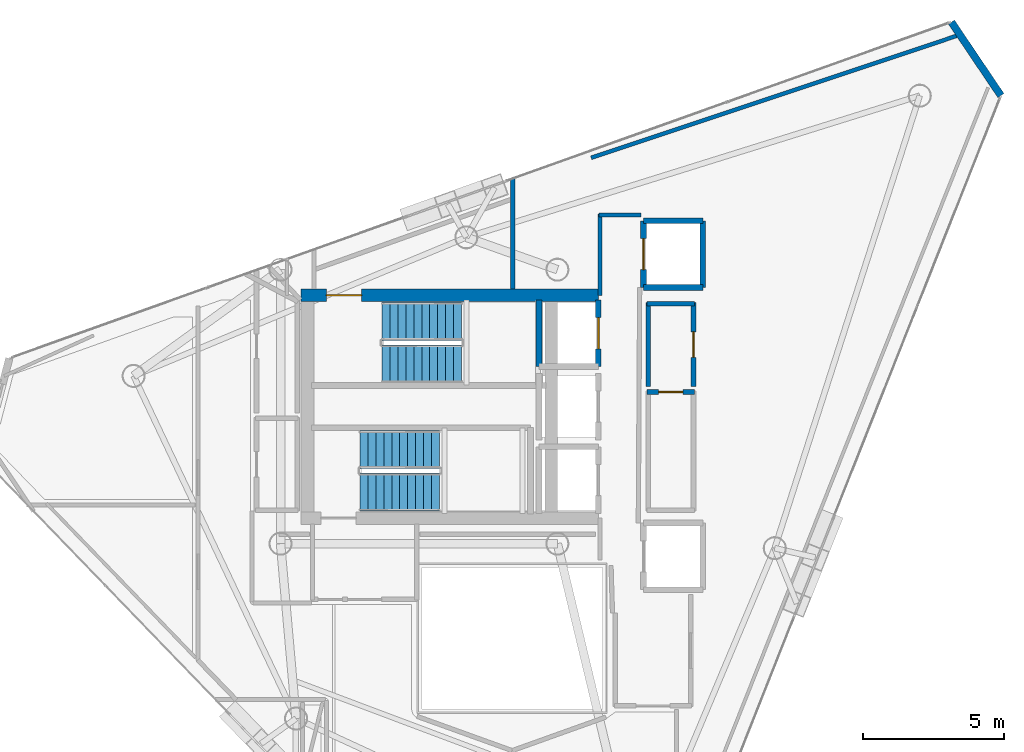
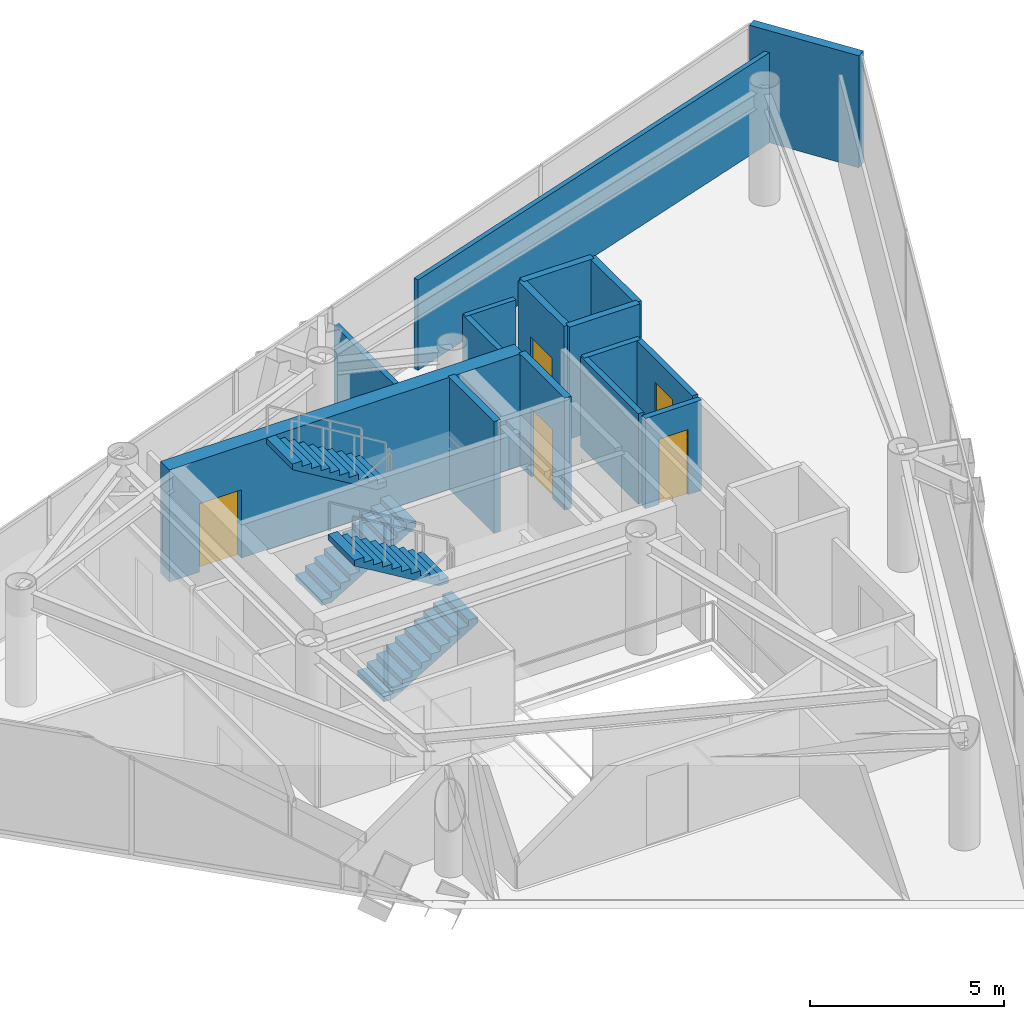
# One storey, part 17 of 18: 16 walls, 5 doors, 4 stair flights, 5 openings, 2 elements without a shape of their own.
"""IFC4 building model written with IfcOpenShell, lengths in metres."""

from ifc_helpers import new_model, si_unit, direction, frame, frame_2d, origin, place, context, subcontext, project, spatial, polyline, rectangle, outline, extrude, material, layer, layer_set, type_object, element, fill, aggregate, save


model = new_model("IFC4")

# Units and contexts
model_context = context("Model", 3, precision=1e-05, world=origin(), true_north=direction((0.0, 1.0)))
body_context = subcontext(model_context, "Body", "Model", "MODEL_VIEW")
ifc_project = project(units=[si_unit("LENGTHUNIT", "METRE"), si_unit("AREAUNIT", "SQUARE_METRE"), si_unit("VOLUMEUNIT", "CUBIC_METRE"), si_unit("PLANEANGLEUNIT", "RADIAN"), si_unit("MASSUNIT", "GRAM", prefix="KILO")], contexts=[model_context])

# Site, building, storey
site_placement = place(None, origin())
site = spatial("IfcSite", under=ifc_project, at=site_placement, CompositionType="ELEMENT")
building_placement = place(site_placement, origin())
building = spatial("IfcBuilding", under=site, at=building_placement, Name="Qianvela Tower", CompositionType="ELEMENT")
storey_placement = place(building_placement, frame((0.0, 0.0, 337.0)))
storey = spatial("IfcBuildingStorey", under=building, at=storey_placement, Name="L87", CompositionType="ELEMENT", Elevation=337.0)

# Wall
ifc_material_1 = material(Name="Terracotta Cladding on Concrete C40", Category="masonry")
ifc_layer_1 = layer(ifc_material_1, 0.260009765625)
ifc_layer_set_1 = layer_set([ifc_layer_1], Name="Terracotta Cladding on Concrete C40")
wall_type_1 = type_object("IfcWallType", Name="TERRACOTTA-WALL-260", PredefinedType="SOLIDWALL", material=ifc_layer_set_1)
wall_1_placement = place(storey_placement, frame((54.101806640625, 39.711181640625, 0.0), z_axis=(0.0, 0.0, 1.0), x_axis=(-0.558838350317, 0.8292766114, 0.0)))
element("IfcWall", 1, at=wall_1_placement, inside=storey, type_object=wall_type_1, Name="L87 Terracotta Chamfer Facet Wall 1", PredefinedType="SOLIDWALL", context=body_context, shape_type="SweptSolid", body=[
    extrude(rectangle(XDim=3.139892578125, YDim=0.260009765625, at=frame_2d((1.56982421875, 0.0))), origin(), (0.0, 0.0, 1.0), 3.52001953125),
])

# Wall, opening, door
ifc_material_2 = material(Name="Concrete C50", Category="concrete")
ifc_layer_2 = layer(ifc_material_2, 0.449951171875)
ifc_layer_set_2 = layer_set([ifc_layer_2], Name="Concrete C50")
wall_type_2 = type_object("IfcWallType", Name="WT-CORE-450", PredefinedType="SHEAR", material=ifc_layer_set_2)
wall_2_placement = place(storey_placement, frame((29.330078125, 32.64501953125, 0.0), z_axis=(0.0, 0.0, 1.0), x_axis=(1.0, 0.0, 0.0)))
wall_2 = element("IfcWall", 2, at=wall_2_placement, inside=storey, type_object=wall_type_2, Name="L87 North Core Shear Wall", PredefinedType="SHEAR", context=body_context, shape_type="SweptSolid", body=[
    extrude(rectangle(XDim=10.52001953125, YDim=0.449951171875, at=frame_2d((5.260009765625, 0.0))), origin(), (0.0, 0.0, 1.0), 3.52001953125),
])
opening_1_placement = place(wall_2_placement, frame((0.89501953125, 0.0, 0.0)))
opening_1 = element("IfcOpeningElement", 3, at=opening_1_placement, cuts=wall_2, Name="Opening D-ST1", PredefinedType="OPENING", context=body_context, shape_type="SweptSolid", body=[
    extrude(rectangle(XDim=1.25, YDim=2.14990234375, at=frame_2d((0.625, 1.074951171875))), frame((0.0, 0.23486328125, 0.0), z_axis=(0.0, -1.0, 0.0), x_axis=(1.0, 0.0, 0.0)), (0.0, 0.0, 1.0), 0.469970703125),
])
ifc_material_3 = material(Name="Galvanised Fire Steel Q355B", Category="steel")
door_type_1 = type_object("IfcDoorType", Name="DT-STAIR-FD90", OperationType="NOTDEFINED", PredefinedType="DOOR", material=ifc_material_3)
door_1_placement = place(opening_1_placement, origin())
door_1 = element("IfcDoor", 4, at=door_1_placement, inside=storey, type_object=door_type_1, Name="L87 Stair ST-1 Exit Door", OperationType="SINGLE_SWING_RIGHT", OverallHeight=2.14990234375, OverallWidth=1.25, PredefinedType="DOOR", context=body_context, shape_type="SweptSolid", body=[
    extrude(rectangle(XDim=1.25, YDim=2.14990234375, at=frame_2d((0.625, 1.074951171875))), frame((0.0, 0.02490234375, 0.0), z_axis=(0.0, -1.0, 0.0), x_axis=(1.0, 0.0, 0.0)), (0.0, 0.0, 1.0), 0.050048828125),
])
fill(opening_1, door_1)

# Walls
ifc_material_4 = material(Name="Fire-Rated Acoustic Gypsum Board")
ifc_layer_3 = layer(ifc_material_4, 0.14990234375)
ifc_layer_set_3 = layer_set([ifc_layer_3], Name="Fire-Rated Acoustic Gypsum Board")
wall_type_3 = type_object("IfcWallType", Name="WT-CORR-150", PredefinedType="PARTITIONING", material=ifc_layer_set_3)
wall_3_placement = place(storey_placement, frame((36.819091796875, 36.791259765625, 0.0), z_axis=(0.0, 0.0, 1.0), x_axis=(0.0, -1.0, 0.0)))
element("IfcWall", 5, at=wall_3_placement, inside=storey, type_object=wall_type_3, Name="L87 Partition 2", PredefinedType="PARTITIONING", context=body_context, shape_type="SweptSolid", body=[
    extrude(rectangle(XDim=3.933349609375, YDim=0.14990234375, at=frame_2d((1.966796875, 0.0))), origin(), (0.0, 0.0, 1.0), 2.840087890625),
])
wall_4_placement = place(storey_placement, frame((39.910888671875, 32.639892578125, 0.0), z_axis=(0.0, 0.0, 1.0), x_axis=(0.0, 1.0, 0.0)))
element("IfcWall", 6, at=wall_4_placement, inside=storey, type_object=wall_type_3, Name="L87 Partition 12", PredefinedType="PARTITIONING", context=body_context, shape_type="SweptSolid", body=[
    extrude(rectangle(XDim=2.880126953125, YDim=0.14990234375, at=frame_2d((1.43994140625, 0.0))), origin(), (0.0, 0.0, 1.0), 2.840087890625),
])
wall_5_placement = place(storey_placement, frame((39.8798828125, 35.489013671875, 0.0), z_axis=(0.0, 0.0, 1.0), x_axis=(1.0, 0.0, 0.0)))
element("IfcWall", 7, at=wall_5_placement, inside=storey, type_object=wall_type_3, Name="L87 Partition 13", PredefinedType="PARTITIONING", context=body_context, shape_type="SweptSolid", body=[
    extrude(rectangle(XDim=1.480224609375, YDim=0.14990234375, at=frame_2d((0.740234375, 0.0))), origin(), (0.0, 0.0, 1.0), 2.840087890625),
])

# Wall, opening, door
ifc_material_5 = material(Name="Sanitary Service Chase Partition")
ifc_layer_4 = layer(ifc_material_5, 0.1650390625)
ifc_layer_set_4 = layer_set([ifc_layer_4], Name="Sanitary Service Chase Partition")
wall_type_4 = type_object("IfcWallType", Name="WT-PLUMB-165", PredefinedType="PLUMBINGWALL", material=ifc_layer_set_4)
wall_6_placement = place(storey_placement, frame((41.580078125, 29.218994140625, 0.0), z_axis=(0.0, 0.0, 1.0), x_axis=(1.0, 0.0, 0.0)))
wall_6 = element("IfcWall", 8, at=wall_6_placement, inside=storey, type_object=wall_type_4, Name="L87 Partition 21", PredefinedType="PLUMBINGWALL", context=body_context, shape_type="SweptSolid", body=[
    extrude(rectangle(XDim=1.669921875, YDim=0.1650390625, at=frame_2d((0.8349609375, 0.0))), origin(), (0.0, 0.0, 1.0), 2.840087890625),
])
opening_2_placement = place(wall_6_placement, frame((0.405029296875, 0.0, 0.0)))
opening_2 = element("IfcOpeningElement", 9, at=opening_2_placement, cuts=wall_6, Name="Opening D-WC1", PredefinedType="OPENING", context=body_context, shape_type="SweptSolid", body=[
    extrude(rectangle(XDim=0.860107421875, YDim=2.050048828125, at=frame_2d((0.43017578125, 1.02490234375))), frame((0.0, 0.092529296875, 0.0), z_axis=(0.0, -1.0, 0.0), x_axis=(1.0, 0.0, 0.0)), (0.0, 0.0, 1.0), 0.18505859375),
])
ifc_material_6 = material(Name="Moisture-Sealed Acoustic Timber Door", Category="wood")
door_type_2 = type_object("IfcDoorType", Name="DT-WC-860", OperationType="NOTDEFINED", PredefinedType="DOOR", material=ifc_material_6)
door_2_placement = place(opening_2_placement, origin())
door_2 = element("IfcDoor", 10, at=door_2_placement, inside=storey, type_object=door_type_2, Name="L87 Door L87 Accessible WC to L87 Shared Tea Pantry East", OperationType="SINGLE_SWING_LEFT", OverallHeight=2.050048828125, OverallWidth=0.860107421875, PredefinedType="DOOR", context=body_context, shape_type="SweptSolid", body=[
    extrude(rectangle(XDim=0.860107421875, YDim=2.050048828125, at=frame_2d((0.43017578125, 1.02490234375))), frame((0.0, 0.02490234375, 0.0), z_axis=(0.0, -1.0, 0.0), x_axis=(1.0, 0.0, 0.0)), (0.0, 0.0, 1.0), 0.050048828125),
])
fill(opening_2, door_2)

# Walls
wall_7_placement = place(storey_placement, frame((41.611083984375, 29.409912109375, 0.0), z_axis=(0.0, 0.0, 1.0), x_axis=(0.0, 1.0, 0.0)))
element("IfcWall", 11, at=wall_7_placement, inside=storey, type_object=wall_type_4, Name="L87 Partition 24", PredefinedType="PLUMBINGWALL", context=body_context, shape_type="SweptSolid", body=[
    extrude(rectangle(XDim=2.969970703125, YDim=0.1650390625, at=frame_2d((1.48486328125, 0.0))), origin(), (0.0, 0.0, 1.0), 2.840087890625),
])
wall_8_placement = place(storey_placement, frame((41.580078125, 32.34912109375, 0.0), z_axis=(0.0, 0.0, 1.0), x_axis=(1.0, 0.0, 0.0)))
element("IfcWall", 12, at=wall_8_placement, inside=storey, type_object=wall_type_4, Name="L87 Partition 25", PredefinedType="PLUMBINGWALL", context=body_context, shape_type="SweptSolid", body=[
    extrude(rectangle(XDim=1.669921875, YDim=0.1650390625, at=frame_2d((0.8349609375, 0.0))), origin(), (0.0, 0.0, 1.0), 2.840087890625),
])

# Wall, opening, door
wall_9_placement = place(storey_placement, frame((43.218994140625, 32.3798828125, 0.0), z_axis=(0.0, 0.0, 1.0), x_axis=(0.0, -1.0, 0.0)))
wall_9 = element("IfcWall", 13, at=wall_9_placement, inside=storey, type_object=wall_type_4, Name="L87 Partition 26", PredefinedType="PLUMBINGWALL", context=body_context, shape_type="SweptSolid", body=[
    extrude(rectangle(XDim=2.969970703125, YDim=0.1650390625, at=frame_2d((1.48486328125, 0.0))), origin(), (0.0, 0.0, 1.0), 2.840087890625),
])
opening_3_placement = place(wall_9_placement, frame((1.034912109375, 0.0, 0.0)))
opening_3 = element("IfcOpeningElement", 14, at=opening_3_placement, cuts=wall_9, Name="Opening D-KT1", PredefinedType="OPENING", context=body_context, shape_type="SweptSolid", body=[
    extrude(rectangle(XDim=0.89990234375, YDim=2.10009765625, at=frame_2d((0.449951171875, 1.050048828125))), frame((0.0, 0.092529296875, 0.0), z_axis=(0.0, -1.0, 0.0), x_axis=(1.0, 0.0, 0.0)), (0.0, 0.0, 1.0), 0.18505859375),
])
ifc_material_7 = material(Name="Glazed Timber Kitchen Door", Category="wood")
door_type_3 = type_object("IfcDoorType", Name="DT-KITCH-900", OperationType="NOTDEFINED", PredefinedType="DOOR", material=ifc_material_7)
door_3_placement = place(opening_3_placement, origin())
door_3 = element("IfcDoor", 15, at=door_3_placement, inside=storey, type_object=door_type_3, Name="L87 Door L87 Shared Tea Pantry East to Student Fitness Gym L87-03", OperationType="SINGLE_SWING_RIGHT", OverallHeight=2.10009765625, OverallWidth=0.89990234375, PredefinedType="DOOR", context=body_context, shape_type="SweptSolid", body=[
    extrude(rectangle(XDim=0.89990234375, YDim=2.10009765625, at=frame_2d((0.449951171875, 1.050048828125))), frame((0.0, 0.02490234375, 0.0), z_axis=(0.0, -1.0, 0.0), x_axis=(1.0, 0.0, 0.0)), (0.0, 0.0, 1.0), 0.050048828125),
])
fill(opening_3, door_3)

# Wall
ifc_material_8 = material(Name="Acoustic Double Gypsum Stud Partition")
ifc_layer_5 = layer(ifc_material_8, 0.139892578125)
ifc_layer_set_5 = layer_set([ifc_layer_5], Name="Acoustic Double Gypsum Stud Partition")
wall_type_5 = type_object("IfcWallType", Name="WT-ROOM-140", PredefinedType="PARTITIONING", material=ifc_layer_set_5)
wall_10_placement = place(storey_placement, frame((39.599609375, 37.509033203125, 0.0), z_axis=(0.0, 0.0, 1.0), x_axis=(0.948557417255, 0.316605158155, 0.0)))
element("IfcWall", 16, at=wall_10_placement, inside=storey, type_object=wall_type_5, Name="L87 Partition 80 seg 2", PredefinedType="PARTITIONING", context=body_context, shape_type="SweptSolid", body=[
    extrude(rectangle(XDim=13.7783203125, YDim=0.139892578125, at=frame_2d((6.88916015625, 0.0))), origin(), (0.0, 0.0, 1.0), 2.840087890625),
])

# Wall, opening, door
ifc_material_9 = material(Name="Concrete C50", Category="concrete")
ifc_layer_6 = layer(ifc_material_9, 0.199951171875)
ifc_layer_set_6 = layer_set([ifc_layer_6], Name="Concrete C50")
wall_type_6 = type_object("IfcWallType", Name="WT-SHAFT-200", PredefinedType="SOLIDWALL", material=ifc_layer_set_6)
wall_11_placement = place(storey_placement, frame((39.85009765625, 30.1201171875, 0.0), z_axis=(0.0, 0.0, 1.0), x_axis=(0.0, 1.0, 0.0)))
wall_11 = element("IfcWall", 17, at=wall_11_placement, inside=storey, type_object=wall_type_6, Name="L87 Lift FL-1 E Shaft Wall", PredefinedType="SOLIDWALL", context=body_context, shape_type="SweptSolid", body=[
    extrude(rectangle(XDim=2.35986328125, YDim=0.199951171875, at=frame_2d((1.179931640625, 0.0))), origin(), (0.0, 0.0, 1.0), 3.52001953125),
])
opening_4_placement = place(wall_11_placement, frame((0.6298828125, 0.0, 0.0)))
opening_4 = element("IfcOpeningElement", 18, at=opening_4_placement, cuts=wall_11, Name="Opening LD-01", PredefinedType="OPENING", context=body_context, shape_type="SweptSolid", body=[
    extrude(rectangle(XDim=1.10009765625, YDim=2.14990234375, at=frame_2d((0.550048828125, 1.074951171875))), frame((0.0, 0.10986328125, 0.0), z_axis=(0.0, -1.0, 0.0), x_axis=(1.0, 0.0, 0.0)), (0.0, 0.0, 1.0), 0.219970703125),
])
ifc_material_10 = material(Name="Brushed Stainless Steel Lift Landing Door", Category="steel")
door_type_4 = type_object("IfcDoorType", Name="DT-LIFT-SLIDE-1100", OperationType="SLIDING_TO_LEFT", PredefinedType="DOOR", material=ifc_material_10)
door_4_placement = place(opening_4_placement, origin())
door_4 = element("IfcDoor", 19, at=door_4_placement, inside=storey, type_object=door_type_4, Name="L87 Lift FL-1 Sliding Landing Door", OperationType="SLIDING_TO_LEFT", OverallHeight=2.14990234375, OverallWidth=1.10009765625, PredefinedType="DOOR", context=body_context, shape_type="SweptSolid", body=[
    extrude(rectangle(XDim=1.10009765625, YDim=2.14990234375, at=frame_2d((0.550048828125, 1.074951171875))), frame((0.0, 0.02490234375, 0.0), z_axis=(0.0, -1.0, 0.0), x_axis=(1.0, 0.0, 0.0)), (0.0, 0.0, 1.0), 0.050048828125),
])
fill(opening_4, door_4)

# Walls
wall_12_placement = place(storey_placement, frame((37.75, 30.1201171875, 0.0), z_axis=(0.0, 0.0, 1.0), x_axis=(0.0, 1.0, 0.0)))
element("IfcWall", 20, at=wall_12_placement, inside=storey, type_object=wall_type_6, Name="L87 Lift FL-1 W Shaft Wall", PredefinedType="SOLIDWALL", context=body_context, shape_type="SweptSolid", body=[
    extrude(rectangle(XDim=2.35986328125, YDim=0.199951171875, at=frame_2d((1.179931640625, 0.0))), origin(), (0.0, 0.0, 1.0), 3.52001953125),
])
wall_13_placement = place(storey_placement, frame((43.550048828125, 32.919921875, 0.0), z_axis=(0.0, 0.0, 1.0), x_axis=(0.0, 1.0, 0.0)))
element("IfcWall", 21, at=wall_13_placement, inside=storey, type_object=wall_type_6, Name="L87 Lift PL-H3 E Shaft Wall", PredefinedType="SOLIDWALL", context=body_context, shape_type="SweptSolid", body=[
    extrude(rectangle(XDim=2.360107421875, YDim=0.199951171875, at=frame_2d((1.18017578125, 0.0))), origin(), (0.0, 0.0, 1.0), 3.52001953125),
])

# Wall, opening, door
wall_14_placement = place(storey_placement, frame((41.449951171875, 32.919921875, 0.0), z_axis=(0.0, 0.0, 1.0), x_axis=(0.0, 1.0, 0.0)))
wall_14 = element("IfcWall", 22, at=wall_14_placement, inside=storey, type_object=wall_type_6, Name="L87 Lift PL-H3 W Shaft Wall", PredefinedType="SOLIDWALL", context=body_context, shape_type="SweptSolid", body=[
    extrude(rectangle(XDim=2.360107421875, YDim=0.199951171875, at=frame_2d((1.18017578125, 0.0))), origin(), (0.0, 0.0, 1.0), 3.52001953125),
])
opening_5_placement = place(wall_14_placement, frame((0.6298828125, 0.0, 0.0)))
opening_5 = element("IfcOpeningElement", 23, at=opening_5_placement, cuts=wall_14, Name="Opening LD-01", PredefinedType="OPENING", context=body_context, shape_type="SweptSolid", body=[
    extrude(rectangle(XDim=1.10009765625, YDim=2.14990234375, at=frame_2d((0.550048828125, 1.074951171875))), frame((0.0, 0.10986328125, 0.0), z_axis=(0.0, -1.0, 0.0), x_axis=(1.0, 0.0, 0.0)), (0.0, 0.0, 1.0), 0.219970703125),
])
door_5_placement = place(opening_5_placement, origin())
door_5 = element("IfcDoor", 24, at=door_5_placement, inside=storey, type_object=door_type_4, Name="L87 Lift PL-H3 Sliding Landing Door", OperationType="SLIDING_TO_LEFT", OverallHeight=2.14990234375, OverallWidth=1.10009765625, PredefinedType="DOOR", context=body_context, shape_type="SweptSolid", body=[
    extrude(rectangle(XDim=1.10009765625, YDim=2.14990234375, at=frame_2d((0.550048828125, 1.074951171875))), frame((0.0, 0.02490234375, 0.0), z_axis=(0.0, -1.0, 0.0), x_axis=(1.0, 0.0, 0.0)), (0.0, 0.0, 1.0), 0.050048828125),
])
fill(opening_5, door_5)

# Walls
for number, where, z_axis, x_axis, name in (
    (25, (41.449951171875, 35.280029296875, 0.0), (0.0, 0.0, 1.0), (1.0, 0.0, 0.0), "L87 Lift PL-H3 N Shaft Wall"),
    (26, (41.449951171875, 32.919921875, 0.0), (0.0, 0.0, 1.0), (1.0, 0.0, 0.0), "L87 Lift PL-H3 S Shaft Wall"),
):
    element("IfcWall", number, at=place(storey_placement, frame(where, z_axis=z_axis, x_axis=x_axis)), inside=storey, type_object=wall_type_6, Name=name, PredefinedType="SOLIDWALL", context=body_context, shape_type="SweptSolid", body=[
        extrude(rectangle(XDim=2.10009765625, YDim=0.199951171875, at=frame_2d((1.050048828125, 0.0))), origin(), (0.0, 0.0, 1.0), 3.52001953125),
    ])

# Stair, stair flights
ifc_material_11 = material(Name="Concrete C40", Category="concrete")
stair_type = type_object("IfcStairType", Name="ST-DOGLEG-1350-R168-N22", PredefinedType="HALF_TURN_STAIR", material=ifc_material_11)
stair_1_placement = place(storey_placement, origin())
stair_1 = element("IfcStair", 27, at=stair_1_placement, inside=storey, type_object=stair_type, Name="L87 Smoke-Proof Core Stair ST-1", PredefinedType="HALF_TURN_STAIR")
ifc_material_12 = material(Name="Concrete C40", Category="concrete")
stair_flight_type = type_object("IfcStairFlightType", Name="STF-STRAIGHT-R168-P11", PredefinedType="STRAIGHT", material=ifc_material_12)
stair_flight_1_placement = place(storey_placement, frame((32.199951171875, 30.215087890625, 0.0), z_axis=(0.0, 0.0, 1.0), x_axis=(1.0, 0.0, 0.0)))
stair_flight_1 = element("IfcStairFlight", 28, at=stair_flight_1_placement, type_object=stair_flight_type, Name="ST-1 flight 1", NumberOfRisers=11, NumberOfTreads=10, PredefinedType="STRAIGHT", RiserHeight=0.168181818, TreadLength=0.28, context=body_context, shape_type="SweptSolid", body=[
    extrude(outline(polyline([(0.0, 0.0), (0.0, 0.168212890625), (0.280029296875, 0.168212890625), (0.280029296875, 0.33642578125), (0.56005859375, 0.33642578125), (0.56005859375, 0.504638671875), (0.840087890625, 0.504638671875), (0.840087890625, 0.672607421875), (1.1201171875, 0.672607421875), (1.1201171875, 0.8408203125), (1.39990234375, 0.8408203125), (1.39990234375, 1.009033203125), (1.679931640625, 1.009033203125), (1.679931640625, 1.17724609375), (1.9599609375, 1.17724609375), (1.9599609375, 1.345458984375), (2.239990234375, 1.345458984375), (2.239990234375, 1.513671875), (2.52001953125, 1.513671875), (2.52001953125, 1.681884765625), (2.800048828125, 1.681884765625), (2.800048828125, 1.85009765625), (2.800048828125, 1.5068359375), (0.291015625, 0.0), (0.0, 0.0)])), frame((0.0, 0.675048828125, 0.0), z_axis=(0.0, -1.0, 0.0), x_axis=(1.0, 0.0, 0.0)), (0.0, 0.0, 1.0), 1.35009765625),
])
stair_flight_2_placement = place(storey_placement, frame((35.0, 31.72509765625, 1.85009765625), z_axis=(0.0, 0.0, 1.0), x_axis=(-1.0, 0.0, 0.0)))
stair_flight_2 = element("IfcStairFlight", 29, at=stair_flight_2_placement, type_object=stair_flight_type, Name="ST-1 flight 2", NumberOfRisers=11, NumberOfTreads=10, PredefinedType="STRAIGHT", RiserHeight=0.168181818, TreadLength=0.28, context=body_context, shape_type="SweptSolid", body=[
    extrude(outline(polyline([(0.0, 0.0), (0.0, 0.168212890625), (0.280029296875, 0.168212890625), (0.280029296875, 0.33642578125), (0.56005859375, 0.33642578125), (0.56005859375, 0.504638671875), (0.840087890625, 0.504638671875), (0.840087890625, 0.672607421875), (1.1201171875, 0.672607421875), (1.1201171875, 0.8408203125), (1.39990234375, 0.8408203125), (1.39990234375, 1.009033203125), (1.679931640625, 1.009033203125), (1.679931640625, 1.17724609375), (1.9599609375, 1.17724609375), (1.9599609375, 1.345458984375), (2.239990234375, 1.345458984375), (2.239990234375, 1.513671875), (2.52001953125, 1.513671875), (2.52001953125, 1.681884765625), (2.800048828125, 1.681884765625), (2.800048828125, 1.85009765625), (2.800048828125, 1.5068359375), (0.291015625, 0.0), (0.0, 0.0)])), frame((0.0, 0.675048828125, 0.0), z_axis=(0.0, -1.0, 0.0), x_axis=(1.0, 0.0, 0.0)), (0.0, 0.0, 1.0), 1.35009765625),
])
aggregate(stair_1, [stair_flight_1, stair_flight_2])

stair_2_placement = place(storey_placement, origin())
stair_2 = element("IfcStair", 30, at=stair_2_placement, inside=storey, type_object=stair_type, Name="L87 Smoke-Proof Core Stair ST-2", PredefinedType="HALF_TURN_STAIR")
stair_flight_3_placement = place(storey_placement, frame((31.419921875, 25.675048828125, 0.0), z_axis=(0.0, 0.0, 1.0), x_axis=(1.0, 0.0, 0.0)))
stair_flight_3 = element("IfcStairFlight", 31, at=stair_flight_3_placement, type_object=stair_flight_type, Name="ST-2 flight 1", NumberOfRisers=11, NumberOfTreads=10, PredefinedType="STRAIGHT", RiserHeight=0.168181818, TreadLength=0.28, context=body_context, shape_type="SweptSolid", body=[
    extrude(outline(polyline([(0.0, 0.0), (0.0, 0.168212890625), (0.280029296875, 0.168212890625), (0.280029296875, 0.33642578125), (0.56005859375, 0.33642578125), (0.56005859375, 0.504638671875), (0.840087890625, 0.504638671875), (0.840087890625, 0.672607421875), (1.1201171875, 0.672607421875), (1.1201171875, 0.8408203125), (1.39990234375, 0.8408203125), (1.39990234375, 1.009033203125), (1.679931640625, 1.009033203125), (1.679931640625, 1.17724609375), (1.9599609375, 1.17724609375), (1.9599609375, 1.345458984375), (2.239990234375, 1.345458984375), (2.239990234375, 1.513671875), (2.52001953125, 1.513671875), (2.52001953125, 1.681884765625), (2.800048828125, 1.681884765625), (2.800048828125, 1.85009765625), (2.800048828125, 1.5068359375), (0.291015625, 0.0), (0.0, 0.0)])), frame((0.0, 0.675048828125, 0.0), z_axis=(0.0, -1.0, 0.0), x_axis=(1.0, 0.0, 0.0)), (0.0, 0.0, 1.0), 1.35009765625),
])
stair_flight_4_placement = place(storey_placement, frame((34.219970703125, 27.18505859375, 1.85009765625), z_axis=(0.0, 0.0, 1.0), x_axis=(-1.0, 0.0, 0.0)))
stair_flight_4 = element("IfcStairFlight", 32, at=stair_flight_4_placement, type_object=stair_flight_type, Name="ST-2 flight 2", NumberOfRisers=11, NumberOfTreads=10, PredefinedType="STRAIGHT", RiserHeight=0.168181818, TreadLength=0.28, context=body_context, shape_type="SweptSolid", body=[
    extrude(outline(polyline([(0.0, 0.0), (0.0, 0.168212890625), (0.280029296875, 0.168212890625), (0.280029296875, 0.33642578125), (0.56005859375, 0.33642578125), (0.56005859375, 0.504638671875), (0.840087890625, 0.504638671875), (0.840087890625, 0.672607421875), (1.1201171875, 0.672607421875), (1.1201171875, 0.8408203125), (1.39990234375, 0.8408203125), (1.39990234375, 1.009033203125), (1.679931640625, 1.009033203125), (1.679931640625, 1.17724609375), (1.9599609375, 1.17724609375), (1.9599609375, 1.345458984375), (2.239990234375, 1.345458984375), (2.239990234375, 1.513671875), (2.52001953125, 1.513671875), (2.52001953125, 1.681884765625), (2.800048828125, 1.681884765625), (2.800048828125, 1.85009765625), (2.800048828125, 1.5068359375), (0.291015625, 0.0), (0.0, 0.0)])), frame((0.0, 0.675048828125, 0.0), z_axis=(0.0, -1.0, 0.0), x_axis=(1.0, 0.0, 0.0)), (0.0, 0.0, 1.0), 1.35009765625),
])
aggregate(stair_2, [stair_flight_3, stair_flight_4])

save(model, "model.ifc")
